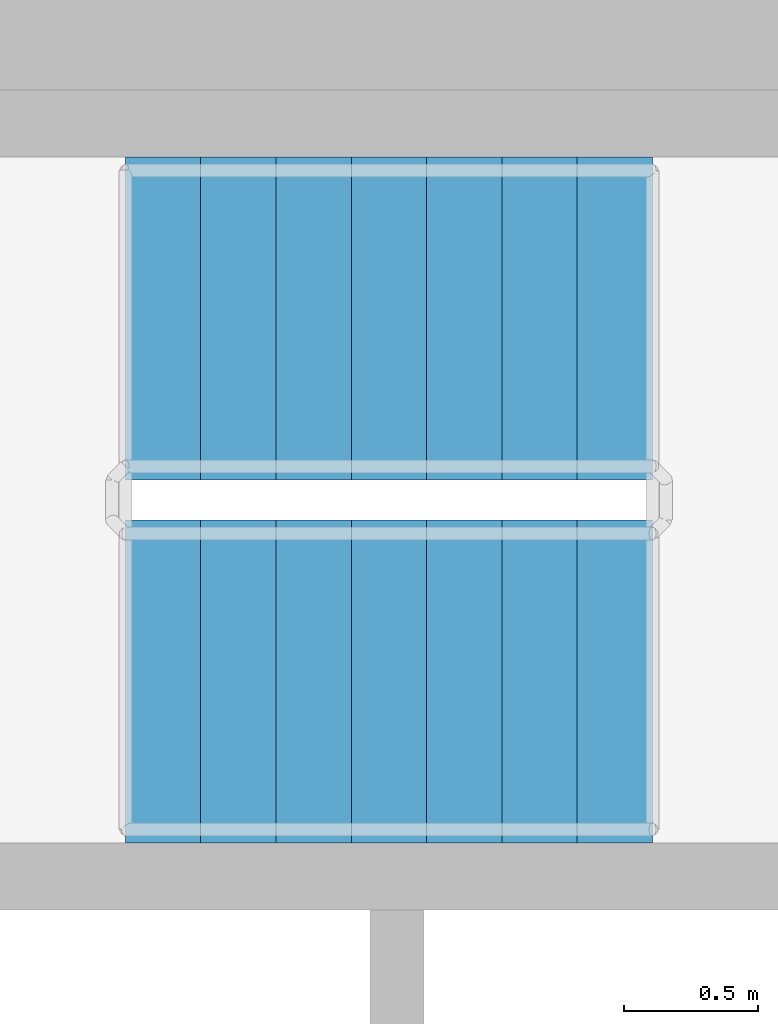
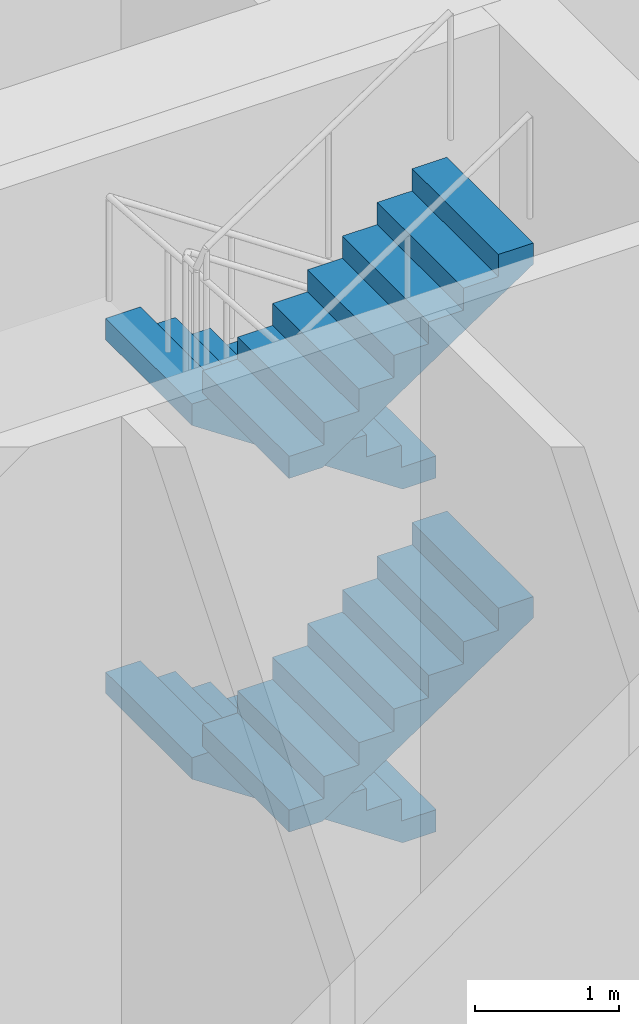
# One storey, part 17 of 22: 4 stair flights, 1 element without a shape of its own.
"""IFC4 building model written with IfcOpenShell, lengths in metres."""

from ifc_helpers import new_model, si_unit, direction, frame, origin, place, context, subcontext, project, spatial, polyline, outline, extrude, material, layer, layer_set, type_object, element, aggregate, save


model = new_model("IFC4")

# Units and contexts
model_context = context("Model", 3, precision=1e-05, world=origin(), true_north=direction((0.0, 1.0)))
body_context = subcontext(model_context, "Body", "Model", "MODEL_VIEW")
ifc_project = project(units=[si_unit("LENGTHUNIT", "METRE"), si_unit("AREAUNIT", "SQUARE_METRE"), si_unit("VOLUMEUNIT", "CUBIC_METRE"), si_unit("PLANEANGLEUNIT", "RADIAN"), si_unit("MASSUNIT", "GRAM", prefix="KILO")], contexts=[model_context])

# Site, building, storey
site_placement = place(None, origin())
site = spatial("IfcSite", under=ifc_project, at=site_placement, CompositionType="ELEMENT")
building_placement = place(site_placement, origin())
building = spatial("IfcBuilding", under=site, at=building_placement, Name="Frailejon Research Tower", CompositionType="ELEMENT")
storey_placement = place(building_placement, frame((0.0, 0.0, 107.199951171875)))
storey = spatial("IfcBuildingStorey", under=building, at=storey_placement, Name="L23", CompositionType="ELEMENT", Elevation=107.199951171875)

# Stair, stair flights
ifc_material_1 = material(Name="Concrete C50/60", Category="concrete")
stair_type = type_object("IfcStairType", Name="Exit stair 32 risers", PredefinedType="HALF_TURN_STAIR", material=ifc_material_1)
stair_placement = place(storey_placement, origin())
stair = element("IfcStair", 1, at=stair_placement, inside=storey, type_object=stair_type, Name="L23 Exit stair ST3", PredefinedType="HALF_TURN_STAIR")
ifc_material_2 = material(Name="Concrete C50/60", Category="concrete")
ifc_layer = layer(ifc_material_2, 0.14990234375)
ifc_layer_set = layer_set([ifc_layer], Name="Stair flight 8 risers")
stair_flight_type = type_object("IfcStairFlightType", Name="Stair flight 8 risers", PredefinedType="STRAIGHT", material=ifc_layer_set)
stair_flight_1_placement = place(storey_placement, frame((8.14990234375, 6.85009765625, 0.0), z_axis=(0.0, 0.0, 1.0), x_axis=(-1.0, 0.0, 0.0)))
stair_flight_1 = element("IfcStairFlight", 2, at=stair_flight_1_placement, type_object=stair_flight_type, Name="ST3 flight 1", NumberOfRisers=8, NumberOfTreads=7, PredefinedType="STRAIGHT", RiserHeight=0.1875, TreadLength=0.28, context=body_context, shape_type="SweptSolid", body=[
    extrude(outline(polyline([(0.0, 0.0), (0.0, 0.1875), (0.280029296875, 0.1875), (0.280029296875, 0.375), (0.56005859375, 0.375), (0.56005859375, 0.5625), (0.840087890625, 0.5625), (0.840087890625, 0.75), (1.1201171875, 0.75), (1.1201171875, 0.9375), (1.39990234375, 0.9375), (1.39990234375, 1.125), (1.679931640625, 1.125), (1.679931640625, 1.3125), (1.9599609375, 1.3125), (1.9599609375, 1.5), (1.9599609375, 1.132080078125), (0.26953125, 0.0), (0.0, 0.0)])), frame((0.0, 0.60009765625, 0.0), z_axis=(0.0, -1.0, 0.0), x_axis=(1.0, 0.0, 0.0)), (0.0, 0.0, 1.0), 1.199951171875),
])
stair_flight_2_placement = place(storey_placement, frame((6.18994140625, 5.5, 1.5), z_axis=(0.0, 0.0, 1.0), x_axis=(1.0, 0.0, 0.0)))
stair_flight_2 = element("IfcStairFlight", 3, at=stair_flight_2_placement, type_object=stair_flight_type, Name="ST3 flight 2", NumberOfRisers=8, NumberOfTreads=7, PredefinedType="STRAIGHT", RiserHeight=0.1875, TreadLength=0.28, context=body_context, shape_type="SweptSolid", body=[
    extrude(outline(polyline([(0.0, 0.0), (0.0, 0.1875), (0.280029296875, 0.1875), (0.280029296875, 0.375), (0.56005859375, 0.375), (0.56005859375, 0.5625), (0.840087890625, 0.5625), (0.840087890625, 0.75), (1.1201171875, 0.75), (1.1201171875, 0.9375), (1.39990234375, 0.9375), (1.39990234375, 1.125), (1.679931640625, 1.125), (1.679931640625, 1.3125), (1.9599609375, 1.3125), (1.9599609375, 1.5), (1.9599609375, 1.132080078125), (0.26953125, 0.0), (0.0, 0.0)])), frame((0.0, 0.60009765625, 0.0), z_axis=(0.0, -1.0, 0.0), x_axis=(1.0, 0.0, 0.0)), (0.0, 0.0, 1.0), 1.199951171875),
])
stair_flight_3_placement = place(storey_placement, frame((8.14990234375, 6.85009765625, 3.0), z_axis=(0.0, 0.0, 1.0), x_axis=(-1.0, 0.0, 0.0)))
stair_flight_3 = element("IfcStairFlight", 4, at=stair_flight_3_placement, type_object=stair_flight_type, Name="ST3 flight 3", NumberOfRisers=8, NumberOfTreads=7, PredefinedType="STRAIGHT", RiserHeight=0.1875, TreadLength=0.28, context=body_context, shape_type="SweptSolid", body=[
    extrude(outline(polyline([(0.0, 0.0), (0.0, 0.1875), (0.280029296875, 0.1875), (0.280029296875, 0.375), (0.56005859375, 0.375), (0.56005859375, 0.5625), (0.840087890625, 0.5625), (0.840087890625, 0.75), (1.1201171875, 0.75), (1.1201171875, 0.9375), (1.39990234375, 0.9375), (1.39990234375, 1.125), (1.679931640625, 1.125), (1.679931640625, 1.3125), (1.9599609375, 1.3125), (1.9599609375, 1.5), (1.9599609375, 1.132080078125), (0.26953125, 0.0), (0.0, 0.0)])), frame((0.0, 0.60009765625, 0.0), z_axis=(0.0, -1.0, 0.0), x_axis=(1.0, 0.0, 0.0)), (0.0, 0.0, 1.0), 1.199951171875),
])
stair_flight_4_placement = place(storey_placement, frame((6.18994140625, 5.5, 4.5), z_axis=(0.0, 0.0, 1.0), x_axis=(1.0, 0.0, 0.0)))
stair_flight_4 = element("IfcStairFlight", 5, at=stair_flight_4_placement, type_object=stair_flight_type, Name="ST3 flight 4", NumberOfRisers=8, NumberOfTreads=7, PredefinedType="STRAIGHT", RiserHeight=0.1875, TreadLength=0.28, context=body_context, shape_type="SweptSolid", body=[
    extrude(outline(polyline([(0.0, 0.0), (0.0, 0.1875), (0.280029296875, 0.1875), (0.280029296875, 0.375), (0.56005859375, 0.375), (0.56005859375, 0.5625), (0.840087890625, 0.5625), (0.840087890625, 0.75), (1.1201171875, 0.75), (1.1201171875, 0.9375), (1.39990234375, 0.9375), (1.39990234375, 1.125), (1.679931640625, 1.125), (1.679931640625, 1.3125), (1.9599609375, 1.3125), (1.9599609375, 1.5), (1.9599609375, 1.132080078125), (0.26953125, 0.0), (0.0, 0.0)])), frame((0.0, 0.60009765625, 0.0), z_axis=(0.0, -1.0, 0.0), x_axis=(1.0, 0.0, 0.0)), (0.0, 0.0, 1.0), 1.199951171875),
])
aggregate(stair, [stair_flight_1, stair_flight_2, stair_flight_3, stair_flight_4])

save(model, "model.ifc")
